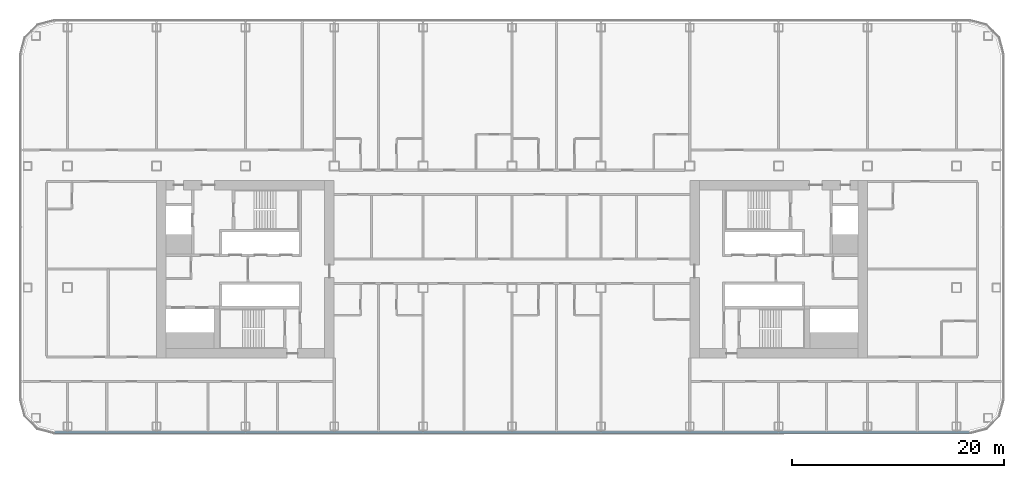
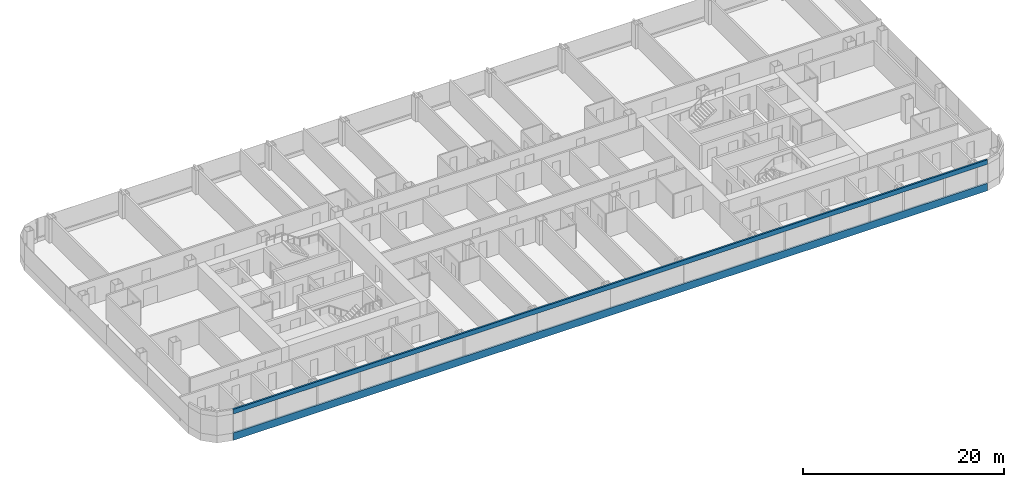
# One storey, part 5 of 29: 2 members, 1 element without a shape of its own.
"""IFC4 building model written with IfcOpenShell, lengths in metres."""

from ifc_helpers import new_model, si_unit, direction, frame, origin, origin_2d, place, context, subcontext, project, spatial, rectangle, extrude, material, layer, layer_set, material_profile, profile_set, type_object, element, aggregate, save


model = new_model("IFC4")

# Units and contexts
model_context = context("Model", 3, precision=1e-05, world=origin(), true_north=direction((0.0, 1.0)))
body_context = subcontext(model_context, "Body", "Model", "MODEL_VIEW")
ifc_project = project(units=[si_unit("LENGTHUNIT", "METRE"), si_unit("AREAUNIT", "SQUARE_METRE"), si_unit("VOLUMEUNIT", "CUBIC_METRE"), si_unit("PLANEANGLEUNIT", "RADIAN"), si_unit("MASSUNIT", "GRAM", prefix="KILO")], contexts=[model_context])

# Site, building, storey
site_placement = place(None, origin())
site = spatial("IfcSite", under=ifc_project, at=site_placement, CompositionType="ELEMENT")
building_placement = place(site_placement, origin())
building = spatial("IfcBuilding", under=site, at=building_placement, Name="Hakoniwa Tower and Hamabe Station Hall", CompositionType="ELEMENT")
storey_placement = place(building_placement, frame((0.0, 0.0, 117.0)))
storey = spatial("IfcBuildingStorey", under=building, at=storey_placement, Name="L33", CompositionType="ELEMENT", Elevation=117.0)

# Curtain wall, members
ifc_material_1 = material(Name="Dark low-e laminated glass", Category="glass")
ifc_layer = layer(ifc_material_1, 0.199951171875)
ifc_layer_set = layer_set([ifc_layer], Name="CW-1 UNITISED GUEST")
curtain_wall_type = type_object("IfcCurtainWallType", Name="CW-1 UNITISED GUEST", PredefinedType="NOTDEFINED", material=ifc_layer_set)
curtain_wall_placement = place(storey_placement, origin())
curtain_wall = element("IfcCurtainWall", 1, at=curtain_wall_placement, inside=storey, type_object=curtain_wall_type, Name="CW-1 curtain wall", PredefinedType="NOTDEFINED")
ifc_material_2 = material(Name="Aluminium 6063-T5 black anodised", Category="aluminium")
ifc_material_profile_1 = material_profile(ifc_material_2, rectangle(XDim=0.199951171875, YDim=0.550048828125, at=origin_2d()), Name="CW HEAD BAND 550X200")
ifc_profile_set_1 = profile_set([ifc_material_profile_1], Name="Aluminium 6063-T5 black anodised")
member_type_1 = type_object("IfcMemberType", Name="CW HEAD BAND 550X200", PredefinedType="USERDEFINED", material=ifc_profile_set_1)
member_1_placement = place(storey_placement, frame((-43.239501953125, -15.449951171875, 2.925048828125), z_axis=(1.0, 0.0, 0.0), x_axis=(0.0, 1.0, 0.0)))
member_1 = element("IfcMember", 2, at=member_1_placement, type_object=member_type_1, Name="CW-1 transom", ObjectType="TRANSOM", PredefinedType="USERDEFINED", context=body_context, shape_type="SweptSolid", body=[
    extrude(rectangle(XDim=0.199951171875, YDim=0.550048828125, at=origin_2d()), origin(), (0.0, 0.0, 1.0), 86.47900390625),
])
ifc_material_3 = material(Name="Aluminium 6063-T5 black anodised", Category="aluminium")
ifc_material_profile_2 = material_profile(ifc_material_3, rectangle(XDim=0.199951171875, YDim=0.89990234375, at=origin_2d()), Name="CW SLAB-EDGE BAND 900X200")
ifc_profile_set_2 = profile_set([ifc_material_profile_2], Name="Aluminium 6063-T5 black anodised")
member_type_2 = type_object("IfcMemberType", Name="CW SLAB-EDGE BAND 900X200", PredefinedType="USERDEFINED", material=ifc_profile_set_2)
member_2_placement = place(storey_placement, frame((-43.239501953125, -15.449951171875, -0.10009765625), z_axis=(1.0, 0.0, 0.0), x_axis=(0.0, 1.0, 0.0)))
member_2 = element("IfcMember", 3, at=member_2_placement, type_object=member_type_2, Name="CW-1 transom", ObjectType="TRANSOM", PredefinedType="USERDEFINED", context=body_context, shape_type="SweptSolid", body=[
    extrude(rectangle(XDim=0.199951171875, YDim=0.89990234375, at=origin_2d()), origin(), (0.0, 0.0, 1.0), 86.47900390625),
])
aggregate(curtain_wall, [member_2, member_1])

save(model, "model.ifc")
